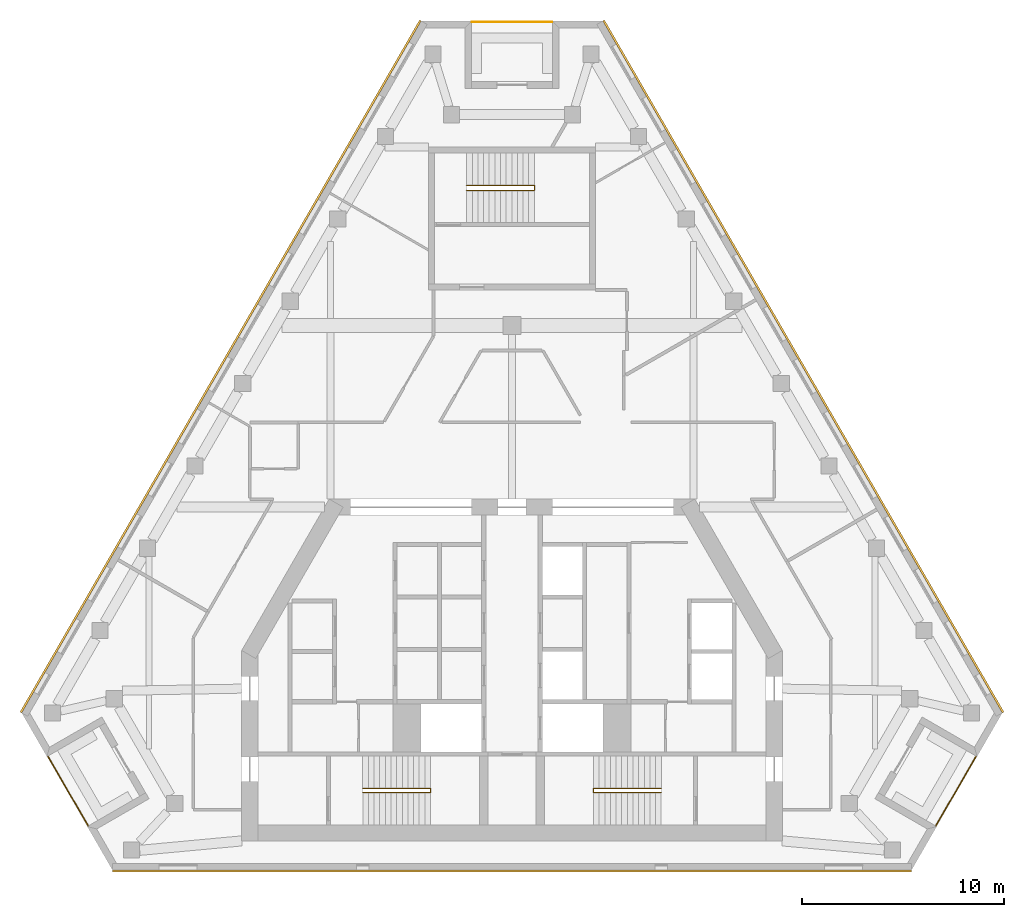
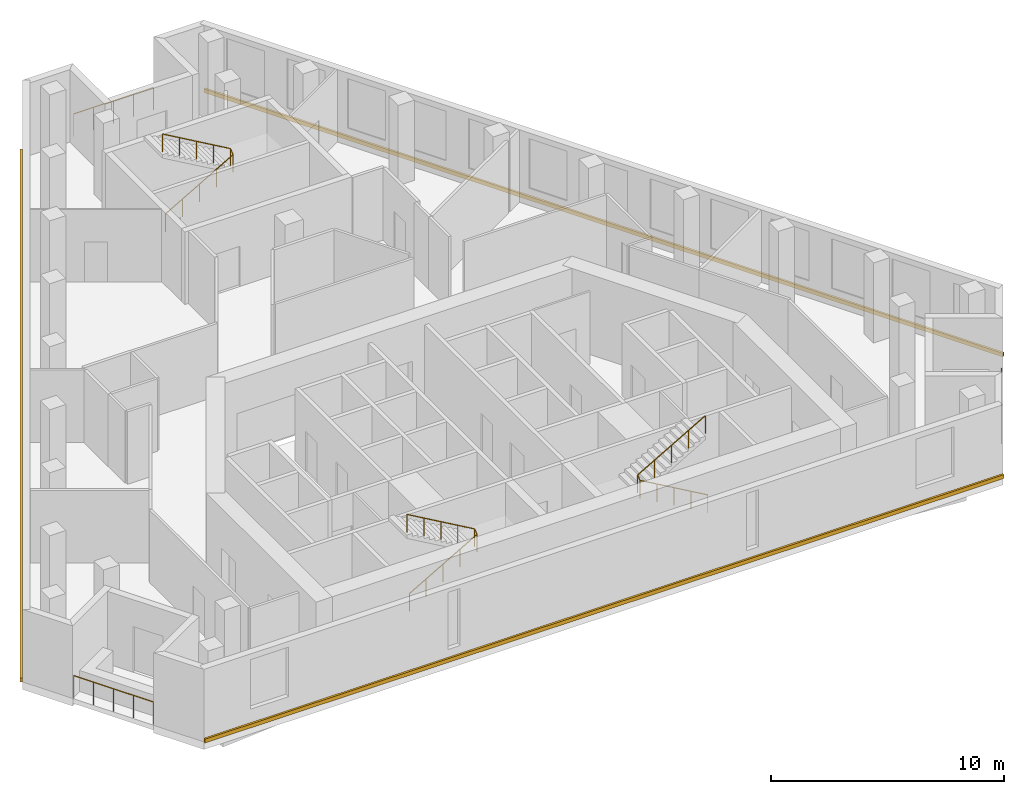
# One storey, part 8 of 8: 6 railings, 3 coverings.
"""IFC4 building model written with IfcOpenShell, lengths in metres."""

from ifc_helpers import new_model, si_unit, direction, frame, origin, origin_2d, place, context, subcontext, project, spatial, polyline, circle, outline, extrude, material, type_object, element, save


model = new_model("IFC4")

# Units and contexts
model_context = context("Model", 3, precision=1e-05, world=origin(), true_north=direction((0.0, 1.0)))
body_context = subcontext(model_context, "Body", "Model", "MODEL_VIEW")
ifc_project = project(units=[si_unit("LENGTHUNIT", "METRE"), si_unit("AREAUNIT", "SQUARE_METRE"), si_unit("VOLUMEUNIT", "CUBIC_METRE"), si_unit("PLANEANGLEUNIT", "RADIAN"), si_unit("MASSUNIT", "GRAM", prefix="KILO")], contexts=[model_context])

# Site, building, storey
site_placement = place(None, origin())
site = spatial("IfcSite", under=ifc_project, at=site_placement, CompositionType="ELEMENT")
building_placement = place(site_placement, origin())
building = spatial("IfcBuilding", under=site, at=building_placement, Name="Fogline Exchange Tower", CompositionType="ELEMENT")
storey_placement = place(building_placement, frame((0.0, 0.0, 322.5)))
storey = spatial("IfcBuildingStorey", under=building, at=storey_placement, Name="L73", CompositionType="ELEMENT", Elevation=322.5)

# Railings
ifc_material_1 = material(Name="Stainless steel 304", Category="steel")
railing_type_1 = type_object("IfcRailingType", Name="G1", PredefinedType="GUARDRAIL", material=ifc_material_1)
railing_1_placement = place(storey_placement, frame((-23.003662109375, 5.635986328125, 0.0)))
element("IfcRailing", 1, at=railing_1_placement, inside=storey, type_object=railing_type_1, Name="Balcony guard L73 SW", PredefinedType="GUARDRAIL", context=body_context, shape_type="SweptSolid", body=[
    extrude(circle(Radius=0.02392578125, at=origin_2d()), frame((0.0, 0.0, 1.17578125), z_axis=(0.500000102728, -0.866025344474, 0.0), x_axis=(0.866025344474, 0.500000102728, 0.0)), (0.0, 0.0, 1.0), 3.9580078125),
    extrude(circle(Radius=0.02099609375, at=origin_2d()), origin(), (0.0, 0.0, 1.0), 1.15185546875),
    extrude(circle(Radius=0.02099609375, at=origin_2d()), frame((0.49462890625, -0.85693359375, 0.0)), (0.0, 0.0, 1.0), 1.15185546875),
    extrude(circle(Radius=0.02099609375, at=origin_2d()), frame((0.989501953125, -1.7138671875, 0.0)), (0.0, 0.0, 1.0), 1.15185546875),
    extrude(circle(Radius=0.02099609375, at=origin_2d()), frame((1.484375, -2.57080078125, 0.0)), (0.0, 0.0, 1.0), 1.15185546875),
    extrude(circle(Radius=0.02099609375, at=origin_2d()), frame((1.97900390625, -3.427734375, 0.0)), (0.0, 0.0, 1.0), 1.15185546875),
])
railing_2_placement = place(storey_placement, frame((21.024658203125, 2.208251953125, 0.0)))
element("IfcRailing", 2, at=railing_2_placement, inside=storey, type_object=railing_type_1, Name="Balcony guard L73 SE", PredefinedType="GUARDRAIL", context=body_context, shape_type="SweptSolid", body=[
    extrude(circle(Radius=0.02392578125, at=origin_2d()), frame((0.0, 0.0, 1.17578125), z_axis=(0.500000102728, 0.866025344474, 0.0), x_axis=(-0.866025344474, 0.500000102728, 0.0)), (0.0, 0.0, 1.0), 3.9580078125),
    extrude(circle(Radius=0.02099609375, at=origin_2d()), origin(), (0.0, 0.0, 1.0), 1.15185546875),
    extrude(circle(Radius=0.02099609375, at=origin_2d()), frame((0.49462890625, 0.85693359375, 0.0)), (0.0, 0.0, 1.0), 1.15185546875),
    extrude(circle(Radius=0.02099609375, at=origin_2d()), frame((0.989501953125, 1.7138671875, 0.0)), (0.0, 0.0, 1.0), 1.15185546875),
    extrude(circle(Radius=0.02099609375, at=origin_2d()), frame((1.484375, 2.57080078125, 0.0)), (0.0, 0.0, 1.0), 1.15185546875),
    extrude(circle(Radius=0.02099609375, at=origin_2d()), frame((1.97900390625, 3.427734375, 0.0)), (0.0, 0.0, 1.0), 1.15185546875),
])
railing_3_placement = place(storey_placement, frame((1.97900390625, 42.0517578125, 0.0)))
element("IfcRailing", 3, at=railing_3_placement, inside=storey, type_object=railing_type_1, Name="Balcony guard L73 N", PredefinedType="GUARDRAIL", context=body_context, shape_type="SweptSolid", body=[
    extrude(circle(Radius=0.02392578125, at=origin_2d()), frame((0.0, 0.0, 1.17578125), z_axis=(-1.0, 0.0, 0.0), x_axis=(0.0, -1.0, 0.0)), (0.0, 0.0, 1.0), 3.9580078125),
    extrude(circle(Radius=0.02099609375, at=origin_2d()), origin(), (0.0, 0.0, 1.0), 1.15185546875),
    extrude(circle(Radius=0.02099609375, at=origin_2d()), frame((-0.989501953125, 0.0, 0.0)), (0.0, 0.0, 1.0), 1.15185546875),
    extrude(circle(Radius=0.02099609375, at=origin_2d()), frame((-1.97900390625, 0.0, 0.0)), (0.0, 0.0, 1.0), 1.15185546875),
    extrude(circle(Radius=0.02099609375, at=origin_2d()), frame((-2.968505859375, 0.0, 0.0)), (0.0, 0.0, 1.0), 1.15185546875),
    extrude(circle(Radius=0.02099609375, at=origin_2d()), frame((-3.9580078125, 0.0, 0.0)), (0.0, 0.0, 1.0), 1.15185546875),
])
ifc_material_2 = material(Name="Steel Q235B", Category="steel")
railing_type_2 = type_object("IfcRailingType", Name="RL-HR", PredefinedType="HANDRAIL", material=ifc_material_2)
railing_4_placement = place(storey_placement, frame((-7.39990234375, 3.85009765625, 0.16162109375)))
element("IfcRailing", 4, at=railing_4_placement, inside=storey, type_object=railing_type_2, Name="Handrail ST1", PredefinedType="HANDRAIL", context=body_context, shape_type="SweptSolid", body=[
    extrude(circle(Radius=0.02392578125, at=origin_2d()), frame((0.0, 0.0, 0.92578125), z_axis=(0.866175107563, 0.0, 0.499740615757), x_axis=(0.0, 1.0, 0.0)), (0.0, 0.0, 1.0), 3.87890625),
    extrude(circle(Radius=0.02392578125, at=origin_2d()), frame((3.35986328125, 0.0, 2.8642578125), z_axis=(0.0, 0.778173348306, 0.628049552174), x_axis=(-1.0, 0.0, 0.0)), (0.0, 0.0, 1.0), 0.2568359375),
    extrude(circle(Radius=0.02392578125, at=origin_2d()), frame((3.35986328125, 0.199951171875, 3.02587890625), z_axis=(-0.866175107563, 0.0, 0.499740615757), x_axis=(0.0, -1.0, 0.0)), (0.0, 0.0, 1.0), 3.87890625),
    extrude(circle(Radius=0.02099609375, at=origin_2d()), origin(), (0.0, 0.0, 1.0), 0.90185546875),
    extrude(circle(Radius=0.02099609375, at=origin_2d()), frame((0.83984375, 0.0, 0.484619140625)), (0.0, 0.0, 1.0), 0.90185546875),
    extrude(circle(Radius=0.02099609375, at=origin_2d()), frame((1.679931640625, 0.0, 0.96923828125)), (0.0, 0.0, 1.0), 0.90185546875),
    extrude(circle(Radius=0.02099609375, at=origin_2d()), frame((2.52001953125, 0.0, 1.453857421875)), (0.0, 0.0, 1.0), 0.90185546875),
    extrude(circle(Radius=0.02099609375, at=origin_2d()), frame((3.35986328125, 0.0, 1.9384765625)), (0.0, 0.0, 1.0), 0.90185546875),
    extrude(circle(Radius=0.02099609375, at=origin_2d()), frame((3.35986328125, 0.199951171875, 2.099853515625)), (0.0, 0.0, 1.0), 0.90185546875),
    extrude(circle(Radius=0.02099609375, at=origin_2d()), frame((2.52001953125, 0.199951171875, 2.58447265625)), (0.0, 0.0, 1.0), 0.90185546875),
    extrude(circle(Radius=0.02099609375, at=origin_2d()), frame((1.679931640625, 0.199951171875, 3.069091796875)), (0.0, 0.0, 1.0), 0.90185546875),
    extrude(circle(Radius=0.02099609375, at=origin_2d()), frame((0.83984375, 0.199951171875, 3.5537109375)), (0.0, 0.0, 1.0), 0.90185546875),
    extrude(circle(Radius=0.02099609375, at=origin_2d()), frame((0.0, 0.199951171875, 4.038330078125)), (0.0, 0.0, 1.0), 0.90185546875),
])
railing_5_placement = place(storey_placement, frame((7.39990234375, 3.85009765625, 0.16162109375)))
element("IfcRailing", 5, at=railing_5_placement, inside=storey, type_object=railing_type_2, Name="Handrail ST2", PredefinedType="HANDRAIL", context=body_context, shape_type="SweptSolid", body=[
    extrude(circle(Radius=0.02392578125, at=origin_2d()), frame((0.0, 0.0, 0.92578125), z_axis=(-0.866175107563, 0.0, 0.499740615757), x_axis=(0.0, -1.0, 0.0)), (0.0, 0.0, 1.0), 3.87890625),
    extrude(circle(Radius=0.02392578125, at=origin_2d()), frame((-3.35986328125, 0.0, 2.8642578125), z_axis=(0.0, 0.778173348306, 0.628049552174), x_axis=(-1.0, 0.0, 0.0)), (0.0, 0.0, 1.0), 0.2568359375),
    extrude(circle(Radius=0.02392578125, at=origin_2d()), frame((-3.35986328125, 0.199951171875, 3.02587890625), z_axis=(0.866175107563, 0.0, 0.499740615757), x_axis=(0.0, 1.0, 0.0)), (0.0, 0.0, 1.0), 3.87890625),
    extrude(circle(Radius=0.02099609375, at=origin_2d()), origin(), (0.0, 0.0, 1.0), 0.90185546875),
    extrude(circle(Radius=0.02099609375, at=origin_2d()), frame((-0.83984375, 0.0, 0.484619140625)), (0.0, 0.0, 1.0), 0.90185546875),
    extrude(circle(Radius=0.02099609375, at=origin_2d()), frame((-1.679931640625, 0.0, 0.96923828125)), (0.0, 0.0, 1.0), 0.90185546875),
    extrude(circle(Radius=0.02099609375, at=origin_2d()), frame((-2.52001953125, 0.0, 1.453857421875)), (0.0, 0.0, 1.0), 0.90185546875),
    extrude(circle(Radius=0.02099609375, at=origin_2d()), frame((-3.35986328125, 0.0, 1.9384765625)), (0.0, 0.0, 1.0), 0.90185546875),
    extrude(circle(Radius=0.02099609375, at=origin_2d()), frame((-3.35986328125, 0.199951171875, 2.099853515625)), (0.0, 0.0, 1.0), 0.90185546875),
    extrude(circle(Radius=0.02099609375, at=origin_2d()), frame((-2.52001953125, 0.199951171875, 2.58447265625)), (0.0, 0.0, 1.0), 0.90185546875),
    extrude(circle(Radius=0.02099609375, at=origin_2d()), frame((-1.679931640625, 0.199951171875, 3.069091796875)), (0.0, 0.0, 1.0), 0.90185546875),
    extrude(circle(Radius=0.02099609375, at=origin_2d()), frame((-0.83984375, 0.199951171875, 3.5537109375)), (0.0, 0.0, 1.0), 0.90185546875),
    extrude(circle(Radius=0.02099609375, at=origin_2d()), frame((0.0, 0.199951171875, 4.038330078125)), (0.0, 0.0, 1.0), 0.90185546875),
])
railing_6_placement = place(storey_placement, frame((-2.25, 33.70703125, 0.16162109375)))
element("IfcRailing", 6, at=railing_6_placement, inside=storey, type_object=railing_type_2, Name="Handrail ST3", PredefinedType="HANDRAIL", context=body_context, shape_type="SweptSolid", body=[
    extrude(circle(Radius=0.02392578125, at=origin_2d()), frame((0.0, 0.0, 0.92578125), z_axis=(0.866190824863, 0.0, 0.499713372768), x_axis=(0.0, 1.0, 0.0)), (0.0, 0.0, 1.0), 3.879150390625),
    extrude(circle(Radius=0.02392578125, at=origin_2d()), frame((3.360107421875, 0.0, 2.8642578125), z_axis=(0.0, 0.840163997081, 0.542332423897), x_axis=(-1.0, 0.0, 0.0)), (0.0, 0.0, 1.0), 0.297607421875),
    extrude(circle(Radius=0.02392578125, at=origin_2d()), frame((3.360107421875, 0.25, 3.02587890625), z_axis=(-0.866190824863, 0.0, 0.499713372768), x_axis=(0.0, -1.0, 0.0)), (0.0, 0.0, 1.0), 3.879150390625),
    extrude(circle(Radius=0.02099609375, at=origin_2d()), origin(), (0.0, 0.0, 1.0), 0.90185546875),
    extrude(circle(Radius=0.02099609375, at=origin_2d()), frame((0.840087890625, 0.0, 0.484619140625)), (0.0, 0.0, 1.0), 0.90185546875),
    extrude(circle(Radius=0.02099609375, at=origin_2d()), frame((1.68017578125, 0.0, 0.96923828125)), (0.0, 0.0, 1.0), 0.90185546875),
    extrude(circle(Radius=0.02099609375, at=origin_2d()), frame((2.52001953125, 0.0, 1.453857421875)), (0.0, 0.0, 1.0), 0.90185546875),
    extrude(circle(Radius=0.02099609375, at=origin_2d()), frame((3.360107421875, 0.0, 1.9384765625)), (0.0, 0.0, 1.0), 0.90185546875),
    extrude(circle(Radius=0.02099609375, at=origin_2d()), frame((3.360107421875, 0.25, 2.099853515625)), (0.0, 0.0, 1.0), 0.90185546875),
    extrude(circle(Radius=0.02099609375, at=origin_2d()), frame((2.52001953125, 0.25, 2.58447265625)), (0.0, 0.0, 1.0), 0.90185546875),
    extrude(circle(Radius=0.02099609375, at=origin_2d()), frame((1.68017578125, 0.25, 3.069091796875)), (0.0, 0.0, 1.0), 0.90185546875),
    extrude(circle(Radius=0.02099609375, at=origin_2d()), frame((0.840087890625, 0.25, 3.5537109375)), (0.0, 0.0, 1.0), 0.90185546875),
    extrude(circle(Radius=0.02099609375, at=origin_2d()), frame((0.0, 0.25, 4.038330078125)), (0.0, 0.0, 1.0), 0.90185546875),
])

# Coverings
ifc_material_3 = material(Name="Brick masonry", Category="masonry")
covering_type = type_object("IfcCoveringType", Name="SB1", PredefinedType="CLADDING", material=ifc_material_3)
covering_1_placement = place(storey_placement, origin())
element("IfcCovering", 7, at=covering_1_placement, inside=storey, type_object=covering_type, Name="Stringcourse band L73 S", PredefinedType="CLADDING", context=body_context, shape_type="SweptSolid", body=[
    extrude(outline(polyline([(-19.807373046875, 0.0), (-19.807373046875, -0.10009765625), (19.807373046875, -0.10009765625), (19.807373046875, 0.0), (-19.807373046875, 0.0)])), origin(), (0.0, 0.0, 1.0), 0.199951171875),
])
covering_2_placement = place(storey_placement, origin())
element("IfcCovering", 8, at=covering_2_placement, inside=storey, type_object=covering_type, Name="Stringcourse band L73 E", PredefinedType="CLADDING", context=body_context, shape_type="SweptSolid", body=[
    extrude(outline(polyline([(24.307373046875, 7.794189453125), (24.39404296875, 7.84423828125), (4.586669921875, 42.151611328125), (4.5, 42.101806640625), (24.307373046875, 7.794189453125)])), origin(), (0.0, 0.0, 1.0), 0.199951171875),
])
covering_3_placement = place(storey_placement, origin())
element("IfcCovering", 9, at=covering_3_placement, inside=storey, type_object=covering_type, Name="Stringcourse band L73 W", PredefinedType="CLADDING", context=body_context, shape_type="SweptSolid", body=[
    extrude(outline(polyline([(-4.5, 42.101806640625), (-4.586669921875, 42.151611328125), (-24.39404296875, 7.84423828125), (-24.307373046875, 7.794189453125), (-4.5, 42.101806640625)])), origin(), (0.0, 0.0, 1.0), 0.199951171875),
])

save(model, "model.ifc")
